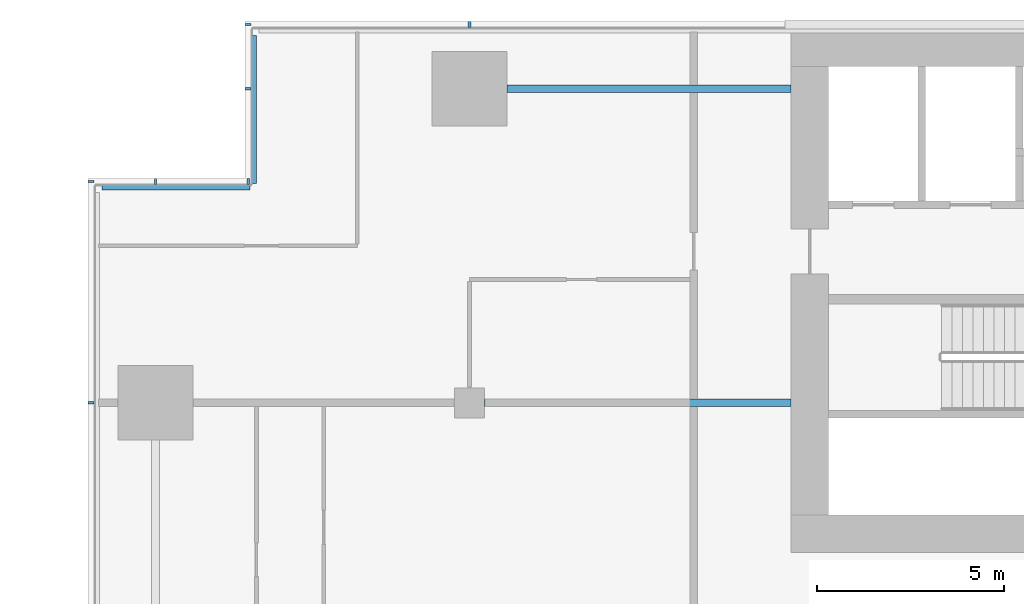
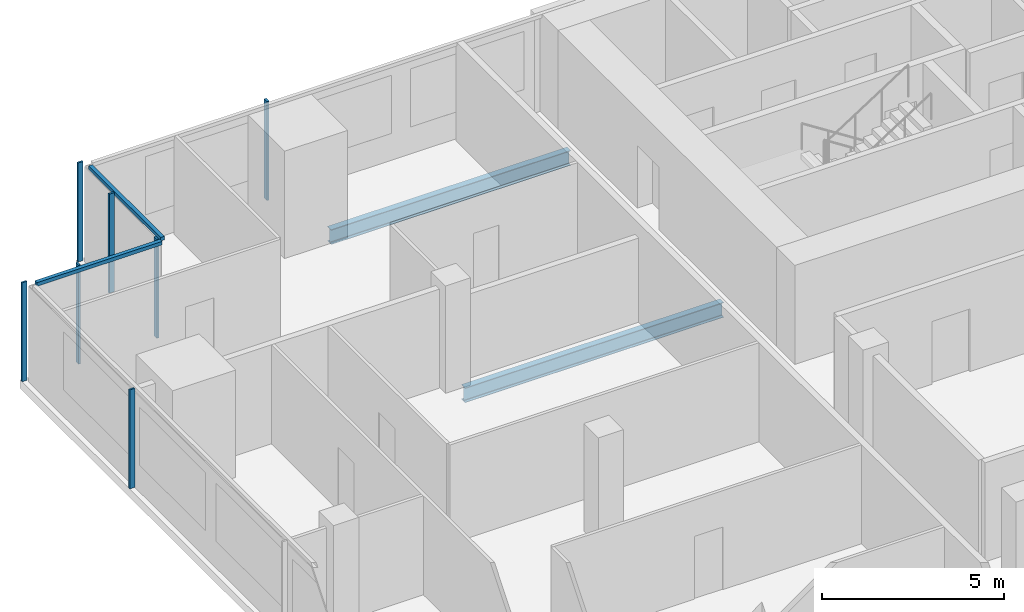
# One storey, part 7 of 27: 9 members, 2 beams, 4 elements without a shape of their own.
"""IFC4 building model written with IfcOpenShell, lengths in metres."""

from ifc_helpers import new_model, si_unit, direction, frame, origin, origin_2d, place, context, subcontext, project, spatial, rectangle, i_section, extrude, material, material_profile, profile_set, type_object, element, aggregate, save


model = new_model("IFC4")

# Units and contexts
model_context = context("Model", 3, precision=1e-05, world=origin(), true_north=direction((0.0, 1.0)))
body_context = subcontext(model_context, "Body", "Model", "MODEL_VIEW")
ifc_project = project(units=[si_unit("LENGTHUNIT", "METRE"), si_unit("AREAUNIT", "SQUARE_METRE"), si_unit("VOLUMEUNIT", "CUBIC_METRE"), si_unit("PLANEANGLEUNIT", "RADIAN"), si_unit("MASSUNIT", "GRAM", prefix="KILO")], contexts=[model_context])

# Site, building, storey
site_placement = place(None, origin())
site = spatial("IfcSite", under=ifc_project, at=site_placement, CompositionType="ELEMENT")
building_placement = place(site_placement, origin())
building = spatial("IfcBuilding", under=site, at=building_placement, Name="Saffron Gate Tower", CompositionType="ELEMENT")
storey_placement = place(building_placement, frame((0.0, 0.0, 134.85009765625)))
storey = spatial("IfcBuildingStorey", under=building, at=storey_placement, Name="L32", CompositionType="ELEMENT", Elevation=134.85009765625)

# Beams
ifc_material_1 = material(Name="Structural steel S355", Category="steel")
ifc_material_profile_1 = material_profile(ifc_material_1, i_section(OverallWidth=0.199951171875, OverallDepth=0.5, WebThickness=0.01025390625, FlangeThickness=0.01611328125, FilletRadius=0.02099609375, at=origin_2d()))
ifc_profile_set_1 = profile_set([ifc_material_profile_1], Name="Structural steel S355")
beam_type = type_object("IfcBeamType", Name="B10 IPE 500", PredefinedType="BEAM", material=ifc_profile_set_1)
beam_1_placement = place(storey_placement, frame((58.60009765625, 65.39990234375, -0.530029296875), z_axis=(1.0, 0.0, 0.0), x_axis=(0.0, 1.0, 0.0)))
element("IfcBeam", 1, at=beam_1_placement, inside=storey, type_object=beam_type, Name="B10 CORE TIE BEAM", PredefinedType="BEAM", context=body_context, shape_type="SweptSolid", body=[
    extrude(i_section(OverallWidth=0.199951171875, OverallDepth=0.5, WebThickness=0.01025390625, FlangeThickness=0.01611328125, FilletRadius=0.02099609375, at=origin_2d()), origin(), (0.0, 0.0, 1.0), 8.199951171875),
])
beam_2_placement = place(storey_placement, frame((59.199951171875, 73.800048828125, -0.530029296875), z_axis=(1.0, 0.0, 0.0), x_axis=(0.0, 1.0, 0.0)))
element("IfcBeam", 2, at=beam_2_placement, inside=storey, type_object=beam_type, Name="B10 CORE TIE BEAM", PredefinedType="BEAM", context=body_context, shape_type="SweptSolid", body=[
    extrude(i_section(OverallWidth=0.199951171875, OverallDepth=0.5, WebThickness=0.01025390625, FlangeThickness=0.01611328125, FilletRadius=0.02099609375, at=origin_2d()), origin(), (0.0, 0.0, 1.0), 7.60009765625),
])

# Curtain wall, members
ifc_material_2 = material(Name="Aluminium, bronze anodised", Category="aluminium")
curtain_wall_type_1 = type_object("IfcCurtainWallType", Name="CWS2 curtain wall side facades", PredefinedType="NOTDEFINED", material=ifc_material_2)
curtain_wall_1_placement = place(storey_placement, origin())
curtain_wall_1 = element("IfcCurtainWall", 3, at=curtain_wall_1_placement, inside=storey, type_object=curtain_wall_type_1, Name="CWS2 run 10", PredefinedType="NOTDEFINED")
ifc_material_profile_2 = material_profile(ifc_material_2, rectangle(XDim=0.159912109375, YDim=0.06005859375, at=origin_2d()))
ifc_profile_set_2 = profile_set([ifc_material_profile_2], Name="Aluminium, bronze anodised")
member_type_1 = type_object("IfcMemberType", Name="CWS2 mullion 60x160", PredefinedType="MULLION", material=ifc_profile_set_2)
member_1_placement = place(storey_placement, frame((48.080078125, 71.320068359375, 0.0), z_axis=(0.0, 0.0, 1.0), x_axis=(1.0, 0.0, 0.0)))
member_1 = element("IfcMember", 4, at=member_1_placement, type_object=member_type_1, Name="CWS2 mullion 1", PredefinedType="MULLION", context=body_context, shape_type="SweptSolid", body=[
    extrude(rectangle(XDim=0.159912109375, YDim=0.06005859375, at=origin_2d()), origin(), (0.0, 0.0, 1.0), 3.31982421875),
])
member_2_placement = place(storey_placement, frame((48.080078125, 65.39990234375, 0.0), z_axis=(0.0, 0.0, 1.0), x_axis=(1.0, 0.0, 0.0)))
member_2 = element("IfcMember", 5, at=member_2_placement, type_object=member_type_1, Name="CWS2 mullion 2", PredefinedType="MULLION", context=body_context, shape_type="SweptSolid", body=[
    extrude(rectangle(XDim=0.159912109375, YDim=0.06005859375, at=origin_2d()), origin(), (0.0, 0.0, 1.0), 3.31982421875),
])
aggregate(curtain_wall_1, [member_1, member_2])

# Curtain wall, member
curtain_wall_type_2 = type_object("IfcCurtainWallType", Name="CWS3 curtain wall rear facade", PredefinedType="NOTDEFINED", material=ifc_material_2)
curtain_wall_2_placement = place(storey_placement, origin())
curtain_wall_2 = element("IfcCurtainWall", 6, at=curtain_wall_2_placement, inside=storey, type_object=curtain_wall_type_2, Name="CWS3 run 7", PredefinedType="NOTDEFINED")
ifc_material_profile_3 = material_profile(ifc_material_2, rectangle(XDim=0.159912109375, YDim=0.070068359375, at=origin_2d()))
ifc_profile_set_3 = profile_set([ifc_material_profile_3], Name="Aluminium, bronze anodised")
member_type_2 = type_object("IfcMemberType", Name="CWS3 mullion 70x160", PredefinedType="MULLION", material=ifc_profile_set_3)
member_3_placement = place(storey_placement, frame((58.199951171875, 75.52001953125, 0.0), z_axis=(0.0, 0.0, 1.0), x_axis=(0.0, -1.0, 0.0)))
member_3 = element("IfcMember", 7, at=member_3_placement, type_object=member_type_2, Name="CWS3 mullion 9", PredefinedType="MULLION", context=body_context, shape_type="SweptSolid", body=[
    extrude(rectangle(XDim=0.159912109375, YDim=0.070068359375, at=origin_2d()), origin(), (0.0, 0.0, 1.0), 3.31982421875),
])
aggregate(curtain_wall_2, [member_3])

curtain_wall_type_3 = type_object("IfcCurtainWallType", Name="CWS4 curtain wall corner returns", PredefinedType="NOTDEFINED", material=ifc_material_2)
curtain_wall_3_placement = place(storey_placement, origin())
curtain_wall_3 = element("IfcCurtainWall", 8, at=curtain_wall_3_placement, inside=storey, type_object=curtain_wall_type_3, Name="CWS4 run 8", PredefinedType="NOTDEFINED")
ifc_material_profile_4 = material_profile(ifc_material_2, rectangle(XDim=0.1201171875, YDim=0.1201171875, at=origin_2d()))
ifc_profile_set_4 = profile_set([ifc_material_profile_4], Name="Aluminium, bronze anodised")
member_type_3 = type_object("IfcMemberType", Name="CWS4 head transom", PredefinedType="USERDEFINED", material=ifc_profile_set_4)
member_4_placement = place(storey_placement, frame((52.447998046875, 75.23193359375, 3.260009765625), z_axis=(0.0, -1.0, 0.0), x_axis=(1.0, 0.0, 0.0)))
member_4 = element("IfcMember", 9, at=member_4_placement, type_object=member_type_3, Name="CWS4 head transom", ObjectType="TRANSOM", PredefinedType="USERDEFINED", context=body_context, shape_type="SweptSolid", body=[
    extrude(rectangle(XDim=0.1201171875, YDim=0.1201171875, at=origin_2d()), origin(), (0.0, 0.0, 1.0), 3.9599609375),
])

curtain_wall_4_placement = place(storey_placement, origin())
curtain_wall_4 = element("IfcCurtainWall", 10, at=curtain_wall_4_placement, inside=storey, type_object=curtain_wall_type_3, Name="CWS4 run 9", PredefinedType="NOTDEFINED")
member_5_placement = place(storey_placement, frame((52.327880859375, 71.152099609375, 3.260009765625), z_axis=(-1.0, 0.0, 0.0), x_axis=(0.0, -1.0, 0.0)))
member_5 = element("IfcMember", 11, at=member_5_placement, type_object=member_type_3, Name="CWS4 head transom", ObjectType="TRANSOM", PredefinedType="USERDEFINED", context=body_context, shape_type="SweptSolid", body=[
    extrude(rectangle(XDim=0.1201171875, YDim=0.1201171875, at=origin_2d()), origin(), (0.0, 0.0, 1.0), 3.9599609375),
])

# Member
ifc_material_profile_5 = material_profile(ifc_material_2, rectangle(XDim=0.159912109375, YDim=0.06005859375, at=origin_2d()))
ifc_profile_set_5 = profile_set([ifc_material_profile_5], Name="Aluminium, bronze anodised")
member_type_4 = type_object("IfcMemberType", Name="CWS4 mullion 60x160", PredefinedType="MULLION", material=ifc_profile_set_5)
member_6_placement = place(storey_placement, frame((52.280029296875, 75.52001953125, 0.0), z_axis=(0.0, 0.0, 1.0), x_axis=(1.0, 0.0, 0.0)))
member_6 = element("IfcMember", 12, at=member_6_placement, type_object=member_type_4, Name="CWS4 mullion 1", PredefinedType="MULLION", context=body_context, shape_type="SweptSolid", body=[
    extrude(rectangle(XDim=0.159912109375, YDim=0.06005859375, at=origin_2d()), origin(), (0.0, 0.0, 1.0), 3.31982421875),
])

member_7_placement = place(storey_placement, frame((52.280029296875, 73.800048828125, 0.0), z_axis=(0.0, 0.0, 1.0), x_axis=(1.0, 0.0, 0.0)))
member_7 = element("IfcMember", 13, at=member_7_placement, type_object=member_type_4, Name="CWS4 mullion 2", PredefinedType="MULLION", context=body_context, shape_type="SweptSolid", body=[
    extrude(rectangle(XDim=0.159912109375, YDim=0.06005859375, at=origin_2d()), origin(), (0.0, 0.0, 1.0), 3.31982421875),
])

aggregate(curtain_wall_3, [member_6, member_7, member_4])

member_8_placement = place(storey_placement, frame((52.280029296875, 71.320068359375, 0.0), z_axis=(0.0, 0.0, 1.0), x_axis=(0.0, -1.0, 0.0)))
member_8 = element("IfcMember", 14, at=member_8_placement, type_object=member_type_4, Name="CWS4 mullion 1", PredefinedType="MULLION", context=body_context, shape_type="SweptSolid", body=[
    extrude(rectangle(XDim=0.159912109375, YDim=0.06005859375, at=origin_2d()), origin(), (0.0, 0.0, 1.0), 3.31982421875),
])

member_9_placement = place(storey_placement, frame((49.800048828125, 71.320068359375, 0.0), z_axis=(0.0, 0.0, 1.0), x_axis=(0.0, -1.0, 0.0)))
member_9 = element("IfcMember", 15, at=member_9_placement, type_object=member_type_4, Name="CWS4 mullion 2", PredefinedType="MULLION", context=body_context, shape_type="SweptSolid", body=[
    extrude(rectangle(XDim=0.159912109375, YDim=0.06005859375, at=origin_2d()), origin(), (0.0, 0.0, 1.0), 3.31982421875),
])

aggregate(curtain_wall_4, [member_8, member_9, member_5])

save(model, "model.ifc")
